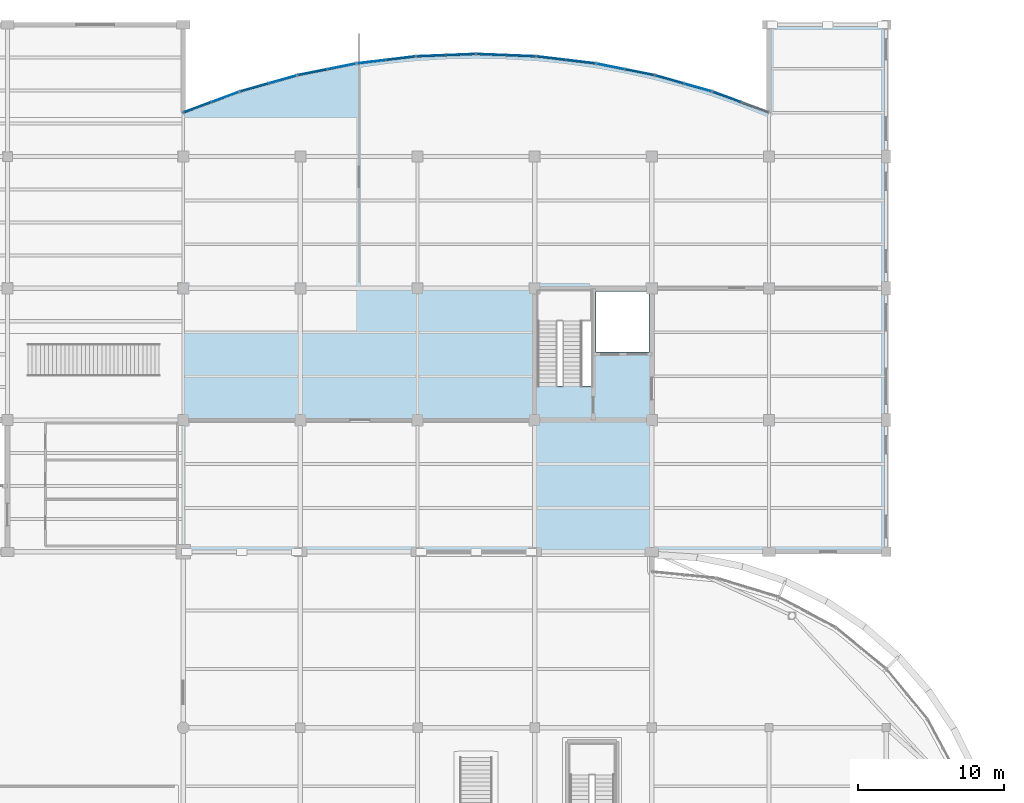
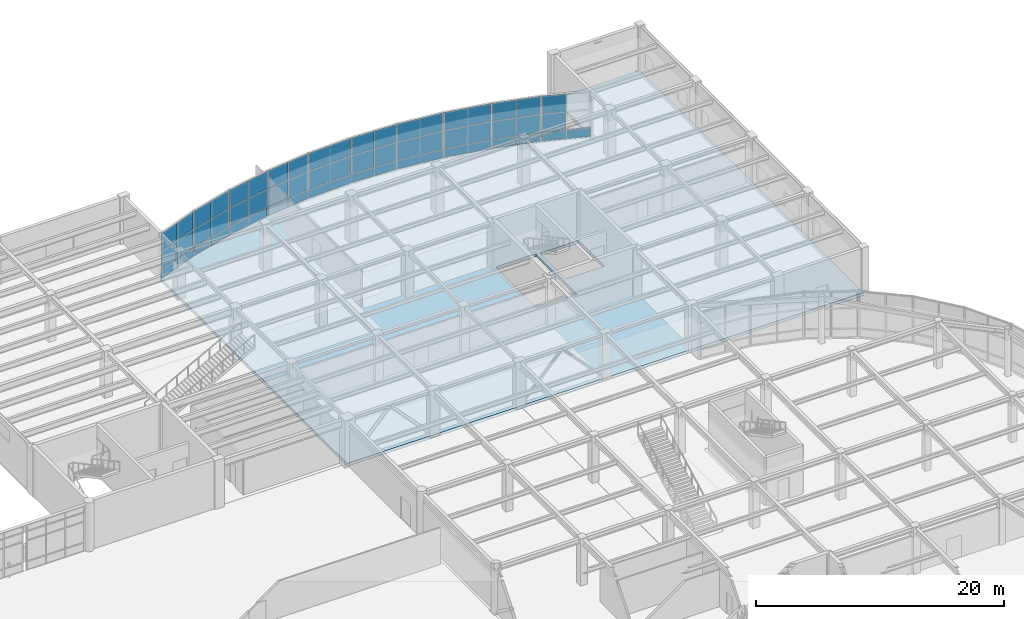
# One storey, part 43 of 72: 58 plates, 1 slab, 10 elements without a shape of their own.
"""IFC4 building model written with IfcOpenShell, lengths in metres."""

from ifc_helpers import new_model, si_unit, direction, frame, origin, origin_2d, place, context, subcontext, project, spatial, polyline, rectangle, outline, extrude, material, layer, layer_set, type_object, element, aggregate, save


model = new_model("IFC4")

# Units and contexts
model_context = context("Model", 3, precision=1e-05, world=origin(), true_north=direction((0.0, 1.0)))
body_context = subcontext(model_context, "Body", "Model", "MODEL_VIEW")
ifc_project = project(units=[si_unit("LENGTHUNIT", "METRE"), si_unit("AREAUNIT", "SQUARE_METRE"), si_unit("VOLUMEUNIT", "CUBIC_METRE"), si_unit("PLANEANGLEUNIT", "RADIAN"), si_unit("MASSUNIT", "GRAM", prefix="KILO")], contexts=[model_context])

# Site, building, storey
site_placement = place(None, origin())
site = spatial("IfcSite", under=ifc_project, at=site_placement, CompositionType="ELEMENT")
building_placement = place(site_placement, origin())
building = spatial("IfcBuilding", under=site, at=building_placement, Name="Keelwater Ferry Terminal", CompositionType="ELEMENT")
storey_placement = place(building_placement, frame((0.0, 0.0, 5.39990234375)))
storey = spatial("IfcBuildingStorey", under=building, at=storey_placement, Name="L01", CompositionType="ELEMENT", Elevation=5.39990234375)

# Curtain wall, plates
ifc_material_1 = material(Name="Thermally broken unitised aluminium and triple glass", Category="aluminium")
ifc_layer_1 = layer(ifc_material_1, 0.179931640625)
ifc_layer_set_1 = layer_set([ifc_layer_1], Name="Thermally broken unitised aluminium and triple glass")
curtain_wall_type = type_object("IfcCurtainWallType", Name="CW-21 Unitised Curtain Wall 4015x4400", PredefinedType="USERDEFINED", material=ifc_layer_set_1)
curtain_wall_1_placement = place(storey_placement, origin())
curtain_wall_1 = element("IfcCurtainWall", 1, at=curtain_wall_1_placement, inside=storey, type_object=curtain_wall_type, Name="Unitised Curtain Wall CW-L01-183", ObjectType="UNITISED CURTAIN WALL", PredefinedType="USERDEFINED")
ifc_material_2 = material(Name="Insulated terracotta shadow-box spandrel", Category="masonry")
ifc_layer_2 = layer(ifc_material_2, 0.110107421875)
ifc_layer_set_2 = layer_set([ifc_layer_2], Name="Insulated terracotta shadow-box spandrel")
plate_type_1 = type_object("IfcPlateType", Name="CWP-S3 Insulated Spandrel Panel 110", PredefinedType="CURTAIN_PANEL", material=ifc_layer_set_2)
plate_1_placement = place(storey_placement, frame((171.01708984375, 120.364990234375, 0.0), z_axis=(0.0, 0.0, 1.0), x_axis=(-0.937592418253, 0.347736189136, 0.0)))
plate_1 = element("IfcPlate", 2, at=plate_1_placement, type_object=plate_type_1, Name="CW-L01-183 Panel 1.1", PredefinedType="CURTAIN_PANEL", context=body_context, shape_type="SweptSolid", body=[
    extrude(rectangle(XDim=2.00732421875, YDim=0.110107421875, at=origin_2d()), origin(), (0.0, 0.0, 1.0), 0.85009765625),
])
plate_2_placement = place(storey_placement, frame((169.135009765625, 121.06298828125, 0.0), z_axis=(0.0, 0.0, 1.0), x_axis=(-0.937592418253, 0.347736189136, 0.0)))
plate_2 = element("IfcPlate", 3, at=plate_2_placement, type_object=plate_type_1, Name="CW-L01-183 Panel 2.1", PredefinedType="CURTAIN_PANEL", context=body_context, shape_type="SweptSolid", body=[
    extrude(rectangle(XDim=2.00732421875, YDim=0.110107421875, at=origin_2d()), origin(), (0.0, 0.0, 1.0), 0.85009765625),
])

curtain_wall_2_placement = place(storey_placement, origin())
curtain_wall_2 = element("IfcCurtainWall", 4, at=curtain_wall_2_placement, inside=storey, type_object=curtain_wall_type, Name="Unitised Curtain Wall CW-L01-184", ObjectType="UNITISED CURTAIN WALL", PredefinedType="USERDEFINED")
plate_3_placement = place(storey_placement, frame((167.143310546875, 121.714111328125, 0.0), z_axis=(0.0, 0.0, 1.0), x_axis=(-0.962029778706, 0.272944508797, 0.0)))
plate_3 = element("IfcPlate", 5, at=plate_3_placement, type_object=plate_type_1, Name="CW-L01-184 Panel 1.1", PredefinedType="CURTAIN_PANEL", context=body_context, shape_type="SweptSolid", body=[
    extrude(rectangle(XDim=2.0078125, YDim=0.110107421875, at=origin_2d()), origin(), (0.0, 0.0, 1.0), 0.85009765625),
])
plate_4_placement = place(storey_placement, frame((165.211669921875, 122.261962890625, 0.0), z_axis=(0.0, 0.0, 1.0), x_axis=(-0.962029778706, 0.272944508797, 0.0)))
plate_4 = element("IfcPlate", 6, at=plate_4_placement, type_object=plate_type_1, Name="CW-L01-184 Panel 2.1", PredefinedType="CURTAIN_PANEL", context=body_context, shape_type="SweptSolid", body=[
    extrude(rectangle(XDim=2.0078125, YDim=0.110107421875, at=origin_2d()), origin(), (0.0, 0.0, 1.0), 0.85009765625),
])

curtain_wall_3_placement = place(storey_placement, origin())
curtain_wall_3 = element("IfcCurtainWall", 7, at=curtain_wall_3_placement, inside=storey, type_object=curtain_wall_type, Name="Unitised Curtain Wall CW-L01-185", ObjectType="UNITISED CURTAIN WALL", PredefinedType="USERDEFINED")
plate_5_placement = place(storey_placement, frame((163.1748046875, 122.753662109375, 0.0), z_axis=(0.0, 0.0, 1.0), x_axis=(-0.98059983046, 0.196020336958, 0.0)))
plate_5 = element("IfcPlate", 8, at=plate_5_placement, type_object=plate_type_1, Name="CW-L01-185 Panel 1.1", PredefinedType="CURTAIN_PANEL", context=body_context, shape_type="SweptSolid", body=[
    extrude(rectangle(XDim=2.00732421875, YDim=0.110107421875, at=origin_2d()), origin(), (0.0, 0.0, 1.0), 0.85009765625),
])
plate_6_placement = place(storey_placement, frame((161.206298828125, 123.147216796875, 0.0), z_axis=(0.0, 0.0, 1.0), x_axis=(-0.98059983046, 0.196020336958, 0.0)))
plate_6 = element("IfcPlate", 9, at=plate_6_placement, type_object=plate_type_1, Name="CW-L01-185 Panel 2.1", PredefinedType="CURTAIN_PANEL", context=body_context, shape_type="SweptSolid", body=[
    extrude(rectangle(XDim=2.00732421875, YDim=0.110107421875, at=origin_2d()), origin(), (0.0, 0.0, 1.0), 0.85009765625),
])

curtain_wall_4_placement = place(storey_placement, origin())
curtain_wall_4 = element("IfcCurtainWall", 10, at=curtain_wall_4_placement, inside=storey, type_object=curtain_wall_type, Name="Unitised Curtain Wall CW-L01-186", ObjectType="UNITISED CURTAIN WALL", PredefinedType="USERDEFINED")
plate_7_placement = place(storey_placement, frame((159.136474609375, 123.476806640625, 0.0), z_axis=(0.0, 0.0, 1.0), x_axis=(-0.992974342459, 0.118329857676, 0.0)))
plate_7 = element("IfcPlate", 11, at=plate_7_placement, type_object=plate_type_1, Name="CW-L01-186 Panel 1.1", PredefinedType="CURTAIN_PANEL", context=body_context, shape_type="SweptSolid", body=[
    extrude(rectangle(XDim=2.007080078125, YDim=0.110107421875, at=origin_2d()), origin(), (0.0, 0.0, 1.0), 0.85009765625),
])
plate_8_placement = place(storey_placement, frame((157.1435546875, 123.71435546875, 0.0), z_axis=(0.0, 0.0, 1.0), x_axis=(-0.992974342459, 0.118329857676, 0.0)))
plate_8 = element("IfcPlate", 12, at=plate_8_placement, type_object=plate_type_1, Name="CW-L01-186 Panel 2.1", PredefinedType="CURTAIN_PANEL", context=body_context, shape_type="SweptSolid", body=[
    extrude(rectangle(XDim=2.007080078125, YDim=0.110107421875, at=origin_2d()), origin(), (0.0, 0.0, 1.0), 0.85009765625),
])

curtain_wall_5_placement = place(storey_placement, origin())
curtain_wall_5 = element("IfcCurtainWall", 13, at=curtain_wall_5_placement, inside=storey, type_object=curtain_wall_type, Name="Unitised Curtain Wall CW-L01-187", ObjectType="UNITISED CURTAIN WALL", PredefinedType="USERDEFINED")
plate_9_placement = place(storey_placement, frame((155.053955078125, 123.87939453125, 0.0), z_axis=(0.0, 0.0, 1.0), x_axis=(-0.999225435626, 0.039351350652, 0.0)))
plate_9 = element("IfcPlate", 14, at=plate_9_placement, type_object=plate_type_1, Name="CW-L01-187 Panel 1.1", PredefinedType="CURTAIN_PANEL", context=body_context, shape_type="SweptSolid", body=[
    extrude(rectangle(XDim=2.007568359375, YDim=0.110107421875, at=origin_2d()), origin(), (0.0, 0.0, 1.0), 0.85009765625),
])
plate_10_placement = place(storey_placement, frame((153.048095703125, 123.95849609375, 0.0), z_axis=(0.0, 0.0, 1.0), x_axis=(-0.999225435626, 0.039351350652, 0.0)))
plate_10 = element("IfcPlate", 15, at=plate_10_placement, type_object=plate_type_1, Name="CW-L01-187 Panel 2.1", PredefinedType="CURTAIN_PANEL", context=body_context, shape_type="SweptSolid", body=[
    extrude(rectangle(XDim=2.007568359375, YDim=0.110107421875, at=origin_2d()), origin(), (0.0, 0.0, 1.0), 0.85009765625),
])

curtain_wall_6_placement = place(storey_placement, origin())
curtain_wall_6 = element("IfcCurtainWall", 16, at=curtain_wall_6_placement, inside=storey, type_object=curtain_wall_type, Name="Unitised Curtain Wall CW-L01-188", ObjectType="UNITISED CURTAIN WALL", PredefinedType="USERDEFINED")
plate_11_placement = place(storey_placement, frame((150.951904296875, 123.95849609375, 0.0), z_axis=(0.0, 0.0, 1.0), x_axis=(-0.999225435626, -0.039351350652, 0.0)))
plate_11 = element("IfcPlate", 17, at=plate_11_placement, type_object=plate_type_1, Name="CW-L01-188 Panel 1.1", PredefinedType="CURTAIN_PANEL", context=body_context, shape_type="SweptSolid", body=[
    extrude(rectangle(XDim=2.007568359375, YDim=0.110107421875, at=origin_2d()), origin(), (0.0, 0.0, 1.0), 0.85009765625),
])
plate_12_placement = place(storey_placement, frame((148.946044921875, 123.87939453125, 0.0), z_axis=(0.0, 0.0, 1.0), x_axis=(-0.999225435626, -0.039351350652, 0.0)))
plate_12 = element("IfcPlate", 18, at=plate_12_placement, type_object=plate_type_1, Name="CW-L01-188 Panel 2.1", PredefinedType="CURTAIN_PANEL", context=body_context, shape_type="SweptSolid", body=[
    extrude(rectangle(XDim=2.007568359375, YDim=0.110107421875, at=origin_2d()), origin(), (0.0, 0.0, 1.0), 0.85009765625),
])

curtain_wall_7_placement = place(storey_placement, origin())
curtain_wall_7 = element("IfcCurtainWall", 19, at=curtain_wall_7_placement, inside=storey, type_object=curtain_wall_type, Name="Unitised Curtain Wall CW-L01-189", ObjectType="UNITISED CURTAIN WALL", PredefinedType="USERDEFINED")
plate_13_placement = place(storey_placement, frame((146.8564453125, 123.71435546875, 0.0), z_axis=(0.0, 0.0, 1.0), x_axis=(-0.992974342459, -0.118329857676, 0.0)))
plate_13 = element("IfcPlate", 20, at=plate_13_placement, type_object=plate_type_1, Name="CW-L01-189 Panel 1.1", PredefinedType="CURTAIN_PANEL", context=body_context, shape_type="SweptSolid", body=[
    extrude(rectangle(XDim=2.007080078125, YDim=0.110107421875, at=origin_2d()), origin(), (0.0, 0.0, 1.0), 0.85009765625),
])
plate_14_placement = place(storey_placement, frame((144.863525390625, 123.476806640625, 0.0), z_axis=(0.0, 0.0, 1.0), x_axis=(-0.992974342459, -0.118329857676, 0.0)))
plate_14 = element("IfcPlate", 21, at=plate_14_placement, type_object=plate_type_1, Name="CW-L01-189 Panel 2.1", PredefinedType="CURTAIN_PANEL", context=body_context, shape_type="SweptSolid", body=[
    extrude(rectangle(XDim=2.007080078125, YDim=0.110107421875, at=origin_2d()), origin(), (0.0, 0.0, 1.0), 0.85009765625),
])

curtain_wall_8_placement = place(storey_placement, origin())
curtain_wall_8 = element("IfcCurtainWall", 22, at=curtain_wall_8_placement, inside=storey, type_object=curtain_wall_type, Name="Unitised Curtain Wall CW-L01-190", ObjectType="UNITISED CURTAIN WALL", PredefinedType="USERDEFINED")
plate_15_placement = place(storey_placement, frame((142.793701171875, 123.147216796875, 0.0), z_axis=(0.0, 0.0, 1.0), x_axis=(-0.98059983046, -0.196020336958, 0.0)))
plate_15 = element("IfcPlate", 23, at=plate_15_placement, type_object=plate_type_1, Name="CW-L01-190 Panel 1.1", PredefinedType="CURTAIN_PANEL", context=body_context, shape_type="SweptSolid", body=[
    extrude(rectangle(XDim=2.00732421875, YDim=0.110107421875, at=origin_2d()), origin(), (0.0, 0.0, 1.0), 0.85009765625),
])
plate_16_placement = place(storey_placement, frame((140.8251953125, 122.753662109375, 0.0), z_axis=(0.0, 0.0, 1.0), x_axis=(-0.98059983046, -0.196020336958, 0.0)))
plate_16 = element("IfcPlate", 24, at=plate_16_placement, type_object=plate_type_1, Name="CW-L01-190 Panel 2.1", PredefinedType="CURTAIN_PANEL", context=body_context, shape_type="SweptSolid", body=[
    extrude(rectangle(XDim=2.00732421875, YDim=0.110107421875, at=origin_2d()), origin(), (0.0, 0.0, 1.0), 0.85009765625),
])

curtain_wall_9_placement = place(storey_placement, origin())
curtain_wall_9 = element("IfcCurtainWall", 25, at=curtain_wall_9_placement, inside=storey, type_object=curtain_wall_type, Name="Unitised Curtain Wall CW-L01-191", ObjectType="UNITISED CURTAIN WALL", PredefinedType="USERDEFINED")
plate_17_placement = place(storey_placement, frame((138.788330078125, 122.261962890625, 0.0), z_axis=(0.0, 0.0, 1.0), x_axis=(-0.962029778706, -0.272944508797, 0.0)))
plate_17 = element("IfcPlate", 26, at=plate_17_placement, type_object=plate_type_1, Name="CW-L01-191 Panel 1.1", PredefinedType="CURTAIN_PANEL", context=body_context, shape_type="SweptSolid", body=[
    extrude(rectangle(XDim=2.0078125, YDim=0.110107421875, at=origin_2d()), origin(), (0.0, 0.0, 1.0), 0.85009765625),
])
plate_18_placement = place(storey_placement, frame((136.856689453125, 121.714111328125, 0.0), z_axis=(0.0, 0.0, 1.0), x_axis=(-0.962029778706, -0.272944508797, 0.0)))
plate_18 = element("IfcPlate", 27, at=plate_18_placement, type_object=plate_type_1, Name="CW-L01-191 Panel 2.1", PredefinedType="CURTAIN_PANEL", context=body_context, shape_type="SweptSolid", body=[
    extrude(rectangle(XDim=2.0078125, YDim=0.110107421875, at=origin_2d()), origin(), (0.0, 0.0, 1.0), 0.85009765625),
])

curtain_wall_10_placement = place(storey_placement, origin())
curtain_wall_10 = element("IfcCurtainWall", 28, at=curtain_wall_10_placement, inside=storey, type_object=curtain_wall_type, Name="Unitised Curtain Wall CW-L01-192", ObjectType="UNITISED CURTAIN WALL", PredefinedType="USERDEFINED")
plate_19_placement = place(storey_placement, frame((134.864990234375, 121.06298828125, 0.0), z_axis=(0.0, 0.0, 1.0), x_axis=(-0.937592418253, -0.347736189136, 0.0)))
plate_19 = element("IfcPlate", 29, at=plate_19_placement, type_object=plate_type_1, Name="CW-L01-192 Panel 1.1", PredefinedType="CURTAIN_PANEL", context=body_context, shape_type="SweptSolid", body=[
    extrude(rectangle(XDim=2.00732421875, YDim=0.110107421875, at=origin_2d()), origin(), (0.0, 0.0, 1.0), 0.85009765625),
])
plate_20_placement = place(storey_placement, frame((132.98291015625, 120.364990234375, 0.0), z_axis=(0.0, 0.0, 1.0), x_axis=(-0.937592418253, -0.347736189136, 0.0)))
plate_20 = element("IfcPlate", 30, at=plate_20_placement, type_object=plate_type_1, Name="CW-L01-192 Panel 2.1", PredefinedType="CURTAIN_PANEL", context=body_context, shape_type="SweptSolid", body=[
    extrude(rectangle(XDim=2.00732421875, YDim=0.110107421875, at=origin_2d()), origin(), (0.0, 0.0, 1.0), 0.85009765625),
])

# Plate
ifc_material_3 = material(Name="Triple low-E laminated glass", Category="glass")
ifc_layer_3 = layer(ifc_material_3, 0.035888671875)
ifc_layer_set_3 = layer_set([ifc_layer_3], Name="Triple low-E laminated glass")
plate_type_2 = type_object("IfcPlateType", Name="CWP-V1 Glazed Vision Panel 36", PredefinedType="CURTAIN_PANEL", material=ifc_layer_set_3)
plate_21_placement = place(storey_placement, frame((169.135009765625, 121.06298828125, 0.85009765625), z_axis=(0.0, 0.0, 1.0), x_axis=(-0.937592418253, 0.347736189136, 0.0)))
plate_21 = element("IfcPlate", 31, at=plate_21_placement, type_object=plate_type_2, Name="CW-L01-183 Panel 2.2", PredefinedType="CURTAIN_PANEL", context=body_context, shape_type="SweptSolid", body=[
    extrude(rectangle(XDim=2.00732421875, YDim=0.035888671875, at=origin_2d()), origin(), (0.0, 0.0, 1.0), 1.800048828125),
])

plate_22_placement = place(storey_placement, frame((169.135009765625, 121.06298828125, 2.650146484375), z_axis=(0.0, 0.0, 1.0), x_axis=(-0.937592418253, 0.347736189136, 0.0)))
plate_22 = element("IfcPlate", 32, at=plate_22_placement, type_object=plate_type_2, Name="CW-L01-183 Panel 2.3", PredefinedType="CURTAIN_PANEL", context=body_context, shape_type="SweptSolid", body=[
    extrude(rectangle(XDim=2.00732421875, YDim=0.035888671875, at=origin_2d()), origin(), (0.0, 0.0, 1.0), 1.75),
])

aggregate(curtain_wall_1, [plate_1, plate_2, plate_21, plate_22])

plate_23_placement = place(storey_placement, frame((167.143310546875, 121.714111328125, 0.85009765625), z_axis=(0.0, 0.0, 1.0), x_axis=(-0.962029778706, 0.272944508797, 0.0)))
plate_23 = element("IfcPlate", 33, at=plate_23_placement, type_object=plate_type_2, Name="CW-L01-184 Panel 1.2", PredefinedType="CURTAIN_PANEL", context=body_context, shape_type="SweptSolid", body=[
    extrude(rectangle(XDim=2.0078125, YDim=0.035888671875, at=origin_2d()), origin(), (0.0, 0.0, 1.0), 1.800048828125),
])

plate_24_placement = place(storey_placement, frame((167.143310546875, 121.714111328125, 2.650146484375), z_axis=(0.0, 0.0, 1.0), x_axis=(-0.962029778706, 0.272944508797, 0.0)))
plate_24 = element("IfcPlate", 34, at=plate_24_placement, type_object=plate_type_2, Name="CW-L01-184 Panel 1.3", PredefinedType="CURTAIN_PANEL", context=body_context, shape_type="SweptSolid", body=[
    extrude(rectangle(XDim=2.0078125, YDim=0.035888671875, at=origin_2d()), origin(), (0.0, 0.0, 1.0), 1.75),
])

plate_25_placement = place(storey_placement, frame((165.211669921875, 122.261962890625, 0.85009765625), z_axis=(0.0, 0.0, 1.0), x_axis=(-0.962029778706, 0.272944508797, 0.0)))
plate_25 = element("IfcPlate", 35, at=plate_25_placement, type_object=plate_type_2, Name="CW-L01-184 Panel 2.2", PredefinedType="CURTAIN_PANEL", context=body_context, shape_type="SweptSolid", body=[
    extrude(rectangle(XDim=2.0078125, YDim=0.035888671875, at=origin_2d()), origin(), (0.0, 0.0, 1.0), 1.800048828125),
])

plate_26_placement = place(storey_placement, frame((165.211669921875, 122.261962890625, 2.650146484375), z_axis=(0.0, 0.0, 1.0), x_axis=(-0.962029778706, 0.272944508797, 0.0)))
plate_26 = element("IfcPlate", 36, at=plate_26_placement, type_object=plate_type_2, Name="CW-L01-184 Panel 2.3", PredefinedType="CURTAIN_PANEL", context=body_context, shape_type="SweptSolid", body=[
    extrude(rectangle(XDim=2.0078125, YDim=0.035888671875, at=origin_2d()), origin(), (0.0, 0.0, 1.0), 1.75),
])

aggregate(curtain_wall_2, [plate_3, plate_23, plate_24, plate_4, plate_25, plate_26])

plate_27_placement = place(storey_placement, frame((163.1748046875, 122.753662109375, 0.85009765625), z_axis=(0.0, 0.0, 1.0), x_axis=(-0.98059983046, 0.196020336958, 0.0)))
plate_27 = element("IfcPlate", 37, at=plate_27_placement, type_object=plate_type_2, Name="CW-L01-185 Panel 1.2", PredefinedType="CURTAIN_PANEL", context=body_context, shape_type="SweptSolid", body=[
    extrude(rectangle(XDim=2.00732421875, YDim=0.035888671875, at=origin_2d()), origin(), (0.0, 0.0, 1.0), 1.800048828125),
])

plate_28_placement = place(storey_placement, frame((163.1748046875, 122.753662109375, 2.650146484375), z_axis=(0.0, 0.0, 1.0), x_axis=(-0.98059983046, 0.196020336958, 0.0)))
plate_28 = element("IfcPlate", 38, at=plate_28_placement, type_object=plate_type_2, Name="CW-L01-185 Panel 1.3", PredefinedType="CURTAIN_PANEL", context=body_context, shape_type="SweptSolid", body=[
    extrude(rectangle(XDim=2.00732421875, YDim=0.035888671875, at=origin_2d()), origin(), (0.0, 0.0, 1.0), 1.75),
])

plate_29_placement = place(storey_placement, frame((161.206298828125, 123.147216796875, 0.85009765625), z_axis=(0.0, 0.0, 1.0), x_axis=(-0.98059983046, 0.196020336958, 0.0)))
plate_29 = element("IfcPlate", 39, at=plate_29_placement, type_object=plate_type_2, Name="CW-L01-185 Panel 2.2", PredefinedType="CURTAIN_PANEL", context=body_context, shape_type="SweptSolid", body=[
    extrude(rectangle(XDim=2.00732421875, YDim=0.035888671875, at=origin_2d()), origin(), (0.0, 0.0, 1.0), 1.800048828125),
])

plate_30_placement = place(storey_placement, frame((161.206298828125, 123.147216796875, 2.650146484375), z_axis=(0.0, 0.0, 1.0), x_axis=(-0.98059983046, 0.196020336958, 0.0)))
plate_30 = element("IfcPlate", 40, at=plate_30_placement, type_object=plate_type_2, Name="CW-L01-185 Panel 2.3", PredefinedType="CURTAIN_PANEL", context=body_context, shape_type="SweptSolid", body=[
    extrude(rectangle(XDim=2.00732421875, YDim=0.035888671875, at=origin_2d()), origin(), (0.0, 0.0, 1.0), 1.75),
])

aggregate(curtain_wall_3, [plate_5, plate_27, plate_28, plate_6, plate_29, plate_30])

plate_31_placement = place(storey_placement, frame((159.136474609375, 123.476806640625, 0.85009765625), z_axis=(0.0, 0.0, 1.0), x_axis=(-0.992974342459, 0.118329857676, 0.0)))
plate_31 = element("IfcPlate", 41, at=plate_31_placement, type_object=plate_type_2, Name="CW-L01-186 Panel 1.2", PredefinedType="CURTAIN_PANEL", context=body_context, shape_type="SweptSolid", body=[
    extrude(rectangle(XDim=2.007080078125, YDim=0.035888671875, at=origin_2d()), origin(), (0.0, 0.0, 1.0), 1.800048828125),
])

plate_32_placement = place(storey_placement, frame((159.136474609375, 123.476806640625, 2.650146484375), z_axis=(0.0, 0.0, 1.0), x_axis=(-0.992974342459, 0.118329857676, 0.0)))
plate_32 = element("IfcPlate", 42, at=plate_32_placement, type_object=plate_type_2, Name="CW-L01-186 Panel 1.3", PredefinedType="CURTAIN_PANEL", context=body_context, shape_type="SweptSolid", body=[
    extrude(rectangle(XDim=2.007080078125, YDim=0.035888671875, at=origin_2d()), origin(), (0.0, 0.0, 1.0), 1.75),
])

plate_33_placement = place(storey_placement, frame((157.1435546875, 123.71435546875, 0.85009765625), z_axis=(0.0, 0.0, 1.0), x_axis=(-0.992974342459, 0.118329857676, 0.0)))
plate_33 = element("IfcPlate", 43, at=plate_33_placement, type_object=plate_type_2, Name="CW-L01-186 Panel 2.2", PredefinedType="CURTAIN_PANEL", context=body_context, shape_type="SweptSolid", body=[
    extrude(rectangle(XDim=2.007080078125, YDim=0.035888671875, at=origin_2d()), origin(), (0.0, 0.0, 1.0), 1.800048828125),
])

plate_34_placement = place(storey_placement, frame((157.1435546875, 123.71435546875, 2.650146484375), z_axis=(0.0, 0.0, 1.0), x_axis=(-0.992974342459, 0.118329857676, 0.0)))
plate_34 = element("IfcPlate", 44, at=plate_34_placement, type_object=plate_type_2, Name="CW-L01-186 Panel 2.3", PredefinedType="CURTAIN_PANEL", context=body_context, shape_type="SweptSolid", body=[
    extrude(rectangle(XDim=2.007080078125, YDim=0.035888671875, at=origin_2d()), origin(), (0.0, 0.0, 1.0), 1.75),
])

aggregate(curtain_wall_4, [plate_7, plate_31, plate_32, plate_8, plate_33, plate_34])

plate_35_placement = place(storey_placement, frame((155.053955078125, 123.87939453125, 0.85009765625), z_axis=(0.0, 0.0, 1.0), x_axis=(-0.999225435626, 0.039351350652, 0.0)))
plate_35 = element("IfcPlate", 45, at=plate_35_placement, type_object=plate_type_2, Name="CW-L01-187 Panel 1.2", PredefinedType="CURTAIN_PANEL", context=body_context, shape_type="SweptSolid", body=[
    extrude(rectangle(XDim=2.007568359375, YDim=0.035888671875, at=origin_2d()), origin(), (0.0, 0.0, 1.0), 1.800048828125),
])

plate_36_placement = place(storey_placement, frame((155.053955078125, 123.87939453125, 2.650146484375), z_axis=(0.0, 0.0, 1.0), x_axis=(-0.999225435626, 0.039351350652, 0.0)))
plate_36 = element("IfcPlate", 46, at=plate_36_placement, type_object=plate_type_2, Name="CW-L01-187 Panel 1.3", PredefinedType="CURTAIN_PANEL", context=body_context, shape_type="SweptSolid", body=[
    extrude(rectangle(XDim=2.007568359375, YDim=0.035888671875, at=origin_2d()), origin(), (0.0, 0.0, 1.0), 1.75),
])

plate_37_placement = place(storey_placement, frame((153.048095703125, 123.95849609375, 0.85009765625), z_axis=(0.0, 0.0, 1.0), x_axis=(-0.999225435626, 0.039351350652, 0.0)))
plate_37 = element("IfcPlate", 47, at=plate_37_placement, type_object=plate_type_2, Name="CW-L01-187 Panel 2.2", PredefinedType="CURTAIN_PANEL", context=body_context, shape_type="SweptSolid", body=[
    extrude(rectangle(XDim=2.007568359375, YDim=0.035888671875, at=origin_2d()), origin(), (0.0, 0.0, 1.0), 1.800048828125),
])

plate_38_placement = place(storey_placement, frame((153.048095703125, 123.95849609375, 2.650146484375), z_axis=(0.0, 0.0, 1.0), x_axis=(-0.999225435626, 0.039351350652, 0.0)))
plate_38 = element("IfcPlate", 48, at=plate_38_placement, type_object=plate_type_2, Name="CW-L01-187 Panel 2.3", PredefinedType="CURTAIN_PANEL", context=body_context, shape_type="SweptSolid", body=[
    extrude(rectangle(XDim=2.007568359375, YDim=0.035888671875, at=origin_2d()), origin(), (0.0, 0.0, 1.0), 1.75),
])

aggregate(curtain_wall_5, [plate_9, plate_35, plate_36, plate_10, plate_37, plate_38])

plate_39_placement = place(storey_placement, frame((150.951904296875, 123.95849609375, 0.85009765625), z_axis=(0.0, 0.0, 1.0), x_axis=(-0.999225435626, -0.039351350652, 0.0)))
plate_39 = element("IfcPlate", 49, at=plate_39_placement, type_object=plate_type_2, Name="CW-L01-188 Panel 1.2", PredefinedType="CURTAIN_PANEL", context=body_context, shape_type="SweptSolid", body=[
    extrude(rectangle(XDim=2.007568359375, YDim=0.035888671875, at=origin_2d()), origin(), (0.0, 0.0, 1.0), 1.800048828125),
])

plate_40_placement = place(storey_placement, frame((150.951904296875, 123.95849609375, 2.650146484375), z_axis=(0.0, 0.0, 1.0), x_axis=(-0.999225435626, -0.039351350652, 0.0)))
plate_40 = element("IfcPlate", 50, at=plate_40_placement, type_object=plate_type_2, Name="CW-L01-188 Panel 1.3", PredefinedType="CURTAIN_PANEL", context=body_context, shape_type="SweptSolid", body=[
    extrude(rectangle(XDim=2.007568359375, YDim=0.035888671875, at=origin_2d()), origin(), (0.0, 0.0, 1.0), 1.75),
])

plate_41_placement = place(storey_placement, frame((148.946044921875, 123.87939453125, 0.85009765625), z_axis=(0.0, 0.0, 1.0), x_axis=(-0.999225435626, -0.039351350652, 0.0)))
plate_41 = element("IfcPlate", 51, at=plate_41_placement, type_object=plate_type_2, Name="CW-L01-188 Panel 2.2", PredefinedType="CURTAIN_PANEL", context=body_context, shape_type="SweptSolid", body=[
    extrude(rectangle(XDim=2.007568359375, YDim=0.035888671875, at=origin_2d()), origin(), (0.0, 0.0, 1.0), 1.800048828125),
])

plate_42_placement = place(storey_placement, frame((148.946044921875, 123.87939453125, 2.650146484375), z_axis=(0.0, 0.0, 1.0), x_axis=(-0.999225435626, -0.039351350652, 0.0)))
plate_42 = element("IfcPlate", 52, at=plate_42_placement, type_object=plate_type_2, Name="CW-L01-188 Panel 2.3", PredefinedType="CURTAIN_PANEL", context=body_context, shape_type="SweptSolid", body=[
    extrude(rectangle(XDim=2.007568359375, YDim=0.035888671875, at=origin_2d()), origin(), (0.0, 0.0, 1.0), 1.75),
])

aggregate(curtain_wall_6, [plate_11, plate_39, plate_40, plate_12, plate_41, plate_42])

plate_43_placement = place(storey_placement, frame((146.8564453125, 123.71435546875, 0.85009765625), z_axis=(0.0, 0.0, 1.0), x_axis=(-0.992974342459, -0.118329857676, 0.0)))
plate_43 = element("IfcPlate", 53, at=plate_43_placement, type_object=plate_type_2, Name="CW-L01-189 Panel 1.2", PredefinedType="CURTAIN_PANEL", context=body_context, shape_type="SweptSolid", body=[
    extrude(rectangle(XDim=2.007080078125, YDim=0.035888671875, at=origin_2d()), origin(), (0.0, 0.0, 1.0), 1.800048828125),
])

plate_44_placement = place(storey_placement, frame((146.8564453125, 123.71435546875, 2.650146484375), z_axis=(0.0, 0.0, 1.0), x_axis=(-0.992974342459, -0.118329857676, 0.0)))
plate_44 = element("IfcPlate", 54, at=plate_44_placement, type_object=plate_type_2, Name="CW-L01-189 Panel 1.3", PredefinedType="CURTAIN_PANEL", context=body_context, shape_type="SweptSolid", body=[
    extrude(rectangle(XDim=2.007080078125, YDim=0.035888671875, at=origin_2d()), origin(), (0.0, 0.0, 1.0), 1.75),
])

plate_45_placement = place(storey_placement, frame((144.863525390625, 123.476806640625, 0.85009765625), z_axis=(0.0, 0.0, 1.0), x_axis=(-0.992974342459, -0.118329857676, 0.0)))
plate_45 = element("IfcPlate", 55, at=plate_45_placement, type_object=plate_type_2, Name="CW-L01-189 Panel 2.2", PredefinedType="CURTAIN_PANEL", context=body_context, shape_type="SweptSolid", body=[
    extrude(rectangle(XDim=2.007080078125, YDim=0.035888671875, at=origin_2d()), origin(), (0.0, 0.0, 1.0), 1.800048828125),
])

plate_46_placement = place(storey_placement, frame((144.863525390625, 123.476806640625, 2.650146484375), z_axis=(0.0, 0.0, 1.0), x_axis=(-0.992974342459, -0.118329857676, 0.0)))
plate_46 = element("IfcPlate", 56, at=plate_46_placement, type_object=plate_type_2, Name="CW-L01-189 Panel 2.3", PredefinedType="CURTAIN_PANEL", context=body_context, shape_type="SweptSolid", body=[
    extrude(rectangle(XDim=2.007080078125, YDim=0.035888671875, at=origin_2d()), origin(), (0.0, 0.0, 1.0), 1.75),
])

aggregate(curtain_wall_7, [plate_13, plate_43, plate_44, plate_14, plate_45, plate_46])

plate_47_placement = place(storey_placement, frame((142.793701171875, 123.147216796875, 0.85009765625), z_axis=(0.0, 0.0, 1.0), x_axis=(-0.98059983046, -0.196020336958, 0.0)))
plate_47 = element("IfcPlate", 57, at=plate_47_placement, type_object=plate_type_2, Name="CW-L01-190 Panel 1.2", PredefinedType="CURTAIN_PANEL", context=body_context, shape_type="SweptSolid", body=[
    extrude(rectangle(XDim=2.00732421875, YDim=0.035888671875, at=origin_2d()), origin(), (0.0, 0.0, 1.0), 1.800048828125),
])

plate_48_placement = place(storey_placement, frame((142.793701171875, 123.147216796875, 2.650146484375), z_axis=(0.0, 0.0, 1.0), x_axis=(-0.98059983046, -0.196020336958, 0.0)))
plate_48 = element("IfcPlate", 58, at=plate_48_placement, type_object=plate_type_2, Name="CW-L01-190 Panel 1.3", PredefinedType="CURTAIN_PANEL", context=body_context, shape_type="SweptSolid", body=[
    extrude(rectangle(XDim=2.00732421875, YDim=0.035888671875, at=origin_2d()), origin(), (0.0, 0.0, 1.0), 1.75),
])

plate_49_placement = place(storey_placement, frame((140.8251953125, 122.753662109375, 0.85009765625), z_axis=(0.0, 0.0, 1.0), x_axis=(-0.98059983046, -0.196020336958, 0.0)))
plate_49 = element("IfcPlate", 59, at=plate_49_placement, type_object=plate_type_2, Name="CW-L01-190 Panel 2.2", PredefinedType="CURTAIN_PANEL", context=body_context, shape_type="SweptSolid", body=[
    extrude(rectangle(XDim=2.00732421875, YDim=0.035888671875, at=origin_2d()), origin(), (0.0, 0.0, 1.0), 1.800048828125),
])

plate_50_placement = place(storey_placement, frame((140.8251953125, 122.753662109375, 2.650146484375), z_axis=(0.0, 0.0, 1.0), x_axis=(-0.98059983046, -0.196020336958, 0.0)))
plate_50 = element("IfcPlate", 60, at=plate_50_placement, type_object=plate_type_2, Name="CW-L01-190 Panel 2.3", PredefinedType="CURTAIN_PANEL", context=body_context, shape_type="SweptSolid", body=[
    extrude(rectangle(XDim=2.00732421875, YDim=0.035888671875, at=origin_2d()), origin(), (0.0, 0.0, 1.0), 1.75),
])

aggregate(curtain_wall_8, [plate_15, plate_47, plate_48, plate_16, plate_49, plate_50])

plate_51_placement = place(storey_placement, frame((138.788330078125, 122.261962890625, 0.85009765625), z_axis=(0.0, 0.0, 1.0), x_axis=(-0.962029778706, -0.272944508797, 0.0)))
plate_51 = element("IfcPlate", 61, at=plate_51_placement, type_object=plate_type_2, Name="CW-L01-191 Panel 1.2", PredefinedType="CURTAIN_PANEL", context=body_context, shape_type="SweptSolid", body=[
    extrude(rectangle(XDim=2.0078125, YDim=0.035888671875, at=origin_2d()), origin(), (0.0, 0.0, 1.0), 1.800048828125),
])

plate_52_placement = place(storey_placement, frame((138.788330078125, 122.261962890625, 2.650146484375), z_axis=(0.0, 0.0, 1.0), x_axis=(-0.962029778706, -0.272944508797, 0.0)))
plate_52 = element("IfcPlate", 62, at=plate_52_placement, type_object=plate_type_2, Name="CW-L01-191 Panel 1.3", PredefinedType="CURTAIN_PANEL", context=body_context, shape_type="SweptSolid", body=[
    extrude(rectangle(XDim=2.0078125, YDim=0.035888671875, at=origin_2d()), origin(), (0.0, 0.0, 1.0), 1.75),
])

plate_53_placement = place(storey_placement, frame((136.856689453125, 121.714111328125, 0.85009765625), z_axis=(0.0, 0.0, 1.0), x_axis=(-0.962029778706, -0.272944508797, 0.0)))
plate_53 = element("IfcPlate", 63, at=plate_53_placement, type_object=plate_type_2, Name="CW-L01-191 Panel 2.2", PredefinedType="CURTAIN_PANEL", context=body_context, shape_type="SweptSolid", body=[
    extrude(rectangle(XDim=2.0078125, YDim=0.035888671875, at=origin_2d()), origin(), (0.0, 0.0, 1.0), 1.800048828125),
])

plate_54_placement = place(storey_placement, frame((136.856689453125, 121.714111328125, 2.650146484375), z_axis=(0.0, 0.0, 1.0), x_axis=(-0.962029778706, -0.272944508797, 0.0)))
plate_54 = element("IfcPlate", 64, at=plate_54_placement, type_object=plate_type_2, Name="CW-L01-191 Panel 2.3", PredefinedType="CURTAIN_PANEL", context=body_context, shape_type="SweptSolid", body=[
    extrude(rectangle(XDim=2.0078125, YDim=0.035888671875, at=origin_2d()), origin(), (0.0, 0.0, 1.0), 1.75),
])

aggregate(curtain_wall_9, [plate_17, plate_51, plate_52, plate_18, plate_53, plate_54])

plate_55_placement = place(storey_placement, frame((134.864990234375, 121.06298828125, 0.85009765625), z_axis=(0.0, 0.0, 1.0), x_axis=(-0.937592418253, -0.347736189136, 0.0)))
plate_55 = element("IfcPlate", 65, at=plate_55_placement, type_object=plate_type_2, Name="CW-L01-192 Panel 1.2", PredefinedType="CURTAIN_PANEL", context=body_context, shape_type="SweptSolid", body=[
    extrude(rectangle(XDim=2.00732421875, YDim=0.035888671875, at=origin_2d()), origin(), (0.0, 0.0, 1.0), 1.800048828125),
])

plate_56_placement = place(storey_placement, frame((134.864990234375, 121.06298828125, 2.650146484375), z_axis=(0.0, 0.0, 1.0), x_axis=(-0.937592418253, -0.347736189136, 0.0)))
plate_56 = element("IfcPlate", 66, at=plate_56_placement, type_object=plate_type_2, Name="CW-L01-192 Panel 1.3", PredefinedType="CURTAIN_PANEL", context=body_context, shape_type="SweptSolid", body=[
    extrude(rectangle(XDim=2.00732421875, YDim=0.035888671875, at=origin_2d()), origin(), (0.0, 0.0, 1.0), 1.75),
])

plate_57_placement = place(storey_placement, frame((132.98291015625, 120.364990234375, 0.85009765625), z_axis=(0.0, 0.0, 1.0), x_axis=(-0.937592418253, -0.347736189136, 0.0)))
plate_57 = element("IfcPlate", 67, at=plate_57_placement, type_object=plate_type_2, Name="CW-L01-192 Panel 2.2", PredefinedType="CURTAIN_PANEL", context=body_context, shape_type="SweptSolid", body=[
    extrude(rectangle(XDim=2.00732421875, YDim=0.035888671875, at=origin_2d()), origin(), (0.0, 0.0, 1.0), 1.800048828125),
])

plate_58_placement = place(storey_placement, frame((132.98291015625, 120.364990234375, 2.650146484375), z_axis=(0.0, 0.0, 1.0), x_axis=(-0.937592418253, -0.347736189136, 0.0)))
plate_58 = element("IfcPlate", 68, at=plate_58_placement, type_object=plate_type_2, Name="CW-L01-192 Panel 2.3", PredefinedType="CURTAIN_PANEL", context=body_context, shape_type="SweptSolid", body=[
    extrude(rectangle(XDim=2.00732421875, YDim=0.035888671875, at=origin_2d()), origin(), (0.0, 0.0, 1.0), 1.75),
])

aggregate(curtain_wall_10, [plate_19, plate_55, plate_56, plate_20, plate_57, plate_58])

# Slab
ifc_material_4 = material(Name="Concrete C40/50", Category="concrete")
ifc_layer_4 = layer(ifc_material_4, 0.300048828125)
ifc_layer_set_4 = layer_set([ifc_layer_4], Name="Concrete C40/50")
slab_type = type_object("IfcSlabType", Name="SL-F300 Suspended Floor Slab 300", PredefinedType="FLOOR", material=ifc_layer_set_4)
slab_placement = place(storey_placement, frame((0.0, 0.0, -0.2998046875)))
element("IfcSlab", 69, at=slab_placement, inside=storey, type_object=slab_type, Name="V5 East Level L01 Floor Slab SL-L01-039", PredefinedType="FLOOR", context=body_context, shape_type="SweptSolid", body=[
    extrude(outline(polyline([(132.0, 90.0), (180.0, 90.0), (180.0, 126.0), (172.0, 126.0), (172.0, 120.0), (170.090087890625, 120.751953125), (168.152099609375, 121.427978515625), (166.18798828125, 122.027099609375), (164.202880859375, 122.548095703125), (162.197998046875, 122.989990234375), (160.177978515625, 123.35302734375), (158.14404296875, 123.635986328125), (156.10205078125, 123.837890625), (154.052001953125, 123.958984375), (152.0, 124.0), (149.947998046875, 123.958984375), (147.89794921875, 123.837890625), (145.85595703125, 123.635986328125), (143.822021484375, 123.35302734375), (141.802001953125, 122.989990234375), (139.797119140625, 122.548095703125), (137.81201171875, 122.027099609375), (135.847900390625, 121.427978515625), (133.909912109375, 120.751953125), (132.0, 120.0), (132.0, 90.0)]), holes=[polyline([(156.14990234375, 101.320068359375), (159.89990234375, 101.320068359375), (159.89990234375, 107.89990234375), (156.14990234375, 107.89990234375), (156.14990234375, 101.320068359375)]), polyline([(160.199951171875, 103.64990234375), (163.800048828125, 103.64990234375), (163.800048828125, 107.800048828125), (160.199951171875, 107.800048828125), (160.199951171875, 103.64990234375)])]), origin(), (0.0, 0.0, 1.0), 0.2998046875),
])

save(model, "model.ifc")
